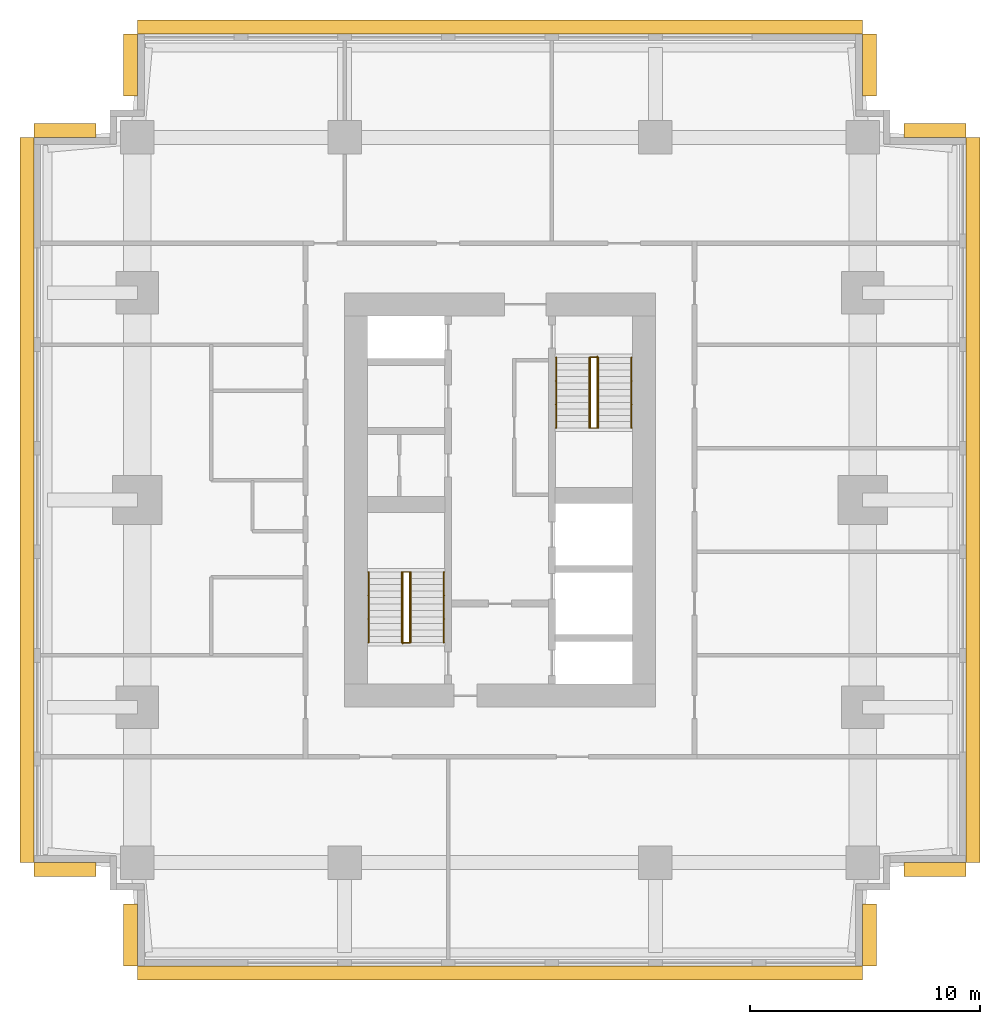
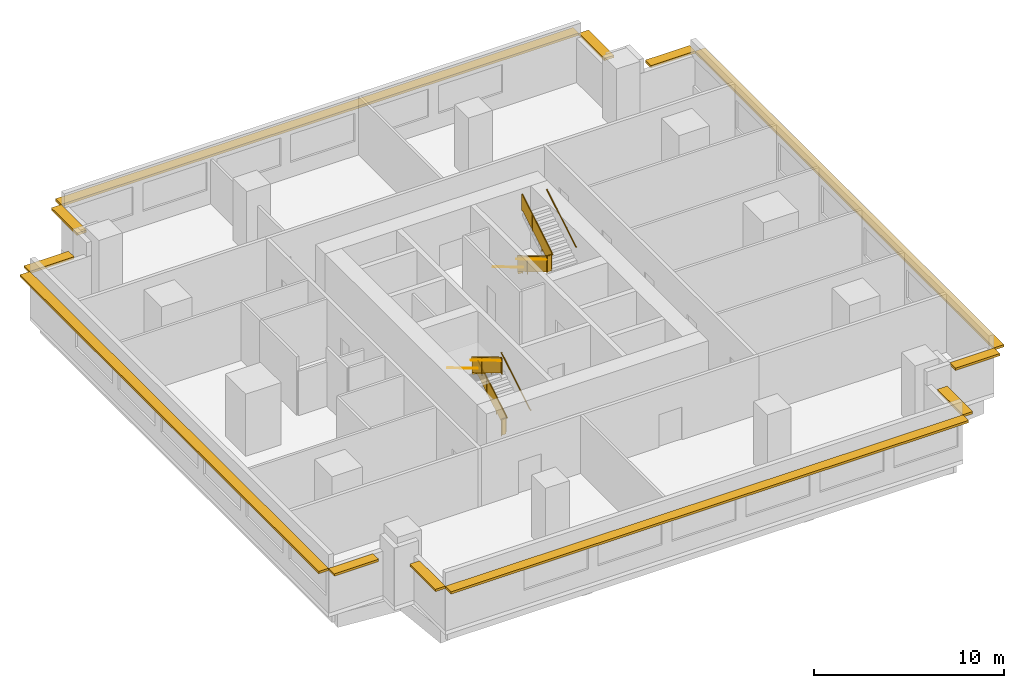
# One storey, part 5 of 5: 12 shading devices, 10 railings.
"""IFC4 building model written with IfcOpenShell, lengths in metres."""

from ifc_helpers import new_model, si_unit, direction, frame, origin, origin_2d, place, context, subcontext, project, spatial, polyline, rectangle, circle, outline, extrude, material, layer, layer_set, type_object, element, save


model = new_model("IFC4")

# Units and contexts
model_context = context("Model", 3, precision=1e-05, world=origin(), true_north=direction((0.0, 1.0)))
body_context = subcontext(model_context, "Body", "Model", "MODEL_VIEW")
ifc_project = project(units=[si_unit("LENGTHUNIT", "METRE"), si_unit("AREAUNIT", "SQUARE_METRE"), si_unit("VOLUMEUNIT", "CUBIC_METRE"), si_unit("PLANEANGLEUNIT", "RADIAN"), si_unit("MASSUNIT", "GRAM", prefix="KILO")], contexts=[model_context])

# Site, building, storey
site_placement = place(None, origin())
site = spatial("IfcSite", under=ifc_project, at=site_placement, CompositionType="ELEMENT")
building_placement = place(site_placement, origin())
building = spatial("IfcBuilding", under=site, at=building_placement, Name="Namib Vertical Campus", CompositionType="ELEMENT")
storey_placement = place(building_placement, frame((0.0, 0.0, 253.0)))
storey = spatial("IfcBuildingStorey", under=building, at=storey_placement, Name="L59", CompositionType="ELEMENT", Elevation=253.0)

# Railings
ifc_material_1 = material(Name="Steel handrail", Category="steel")
railing_type_1 = type_object("IfcRailingType", Name="Handrail 900", PredefinedType="HANDRAIL", material=ifc_material_1)
railing_1_placement = place(storey_placement, frame((17.800048828125, 14.050048828125, 0.166748046875)))
element("IfcRailing", 1, at=railing_1_placement, inside=storey, type_object=railing_type_1, Name="Handrail HR1 A-S1 L59 1", PredefinedType="HANDRAIL", context=body_context, shape_type="SweptSolid", body=[
    extrude(circle(Radius=0.02392578125, at=origin_2d()), frame((0.0, 0.0, 0.8759765625), z_axis=(0.0, 0.859290745958, 0.51148745235), x_axis=(-1.0, 0.0, 0.0)), (0.0, 0.0, 1.0), 3.584228515625),
    extrude(circle(Radius=0.008056640625, at=origin_2d()), frame((0.0, 0.0, 0.8759765625), z_axis=(1.0, 0.0, 0.0), x_axis=(0.0, 0.0, 1.0)), (0.0, 0.0, 1.0), 0.050048828125),
    extrude(circle(Radius=0.008056640625, at=origin_2d()), frame((0.0, 1.026611328125, 1.48681640625), z_axis=(1.0, 0.0, 0.0), x_axis=(0.0, 0.0, 1.0)), (0.0, 0.0, 1.0), 0.050048828125),
    extrude(circle(Radius=0.008056640625, at=origin_2d()), frame((0.0, 2.05322265625, 2.09814453125), z_axis=(1.0, 0.0, 0.0), x_axis=(0.0, 0.0, 1.0)), (0.0, 0.0, 1.0), 0.050048828125),
    extrude(circle(Radius=0.008056640625, at=origin_2d()), frame((0.0, 3.079833984375, 2.708984375), z_axis=(1.0, 0.0, 0.0), x_axis=(0.0, 0.0, 1.0)), (0.0, 0.0, 1.0), 0.050048828125),
])
railing_2_placement = place(storey_placement, frame((14.550048828125, 17.1298828125, 2.166748046875)))
element("IfcRailing", 2, at=railing_2_placement, inside=storey, type_object=railing_type_1, Name="Handrail HR1 A-S1 L59 2", PredefinedType="HANDRAIL", context=body_context, shape_type="SweptSolid", body=[
    extrude(circle(Radius=0.02392578125, at=origin_2d()), frame((0.0, 0.0, 0.8759765625), z_axis=(0.0, -0.859290745958, 0.51148745235), x_axis=(1.0, 0.0, 0.0)), (0.0, 0.0, 1.0), 3.584228515625),
    extrude(circle(Radius=0.008056640625, at=origin_2d()), frame((0.0, 0.0, 0.8759765625), z_axis=(-1.0, 0.0, 0.0), x_axis=(0.0, 0.0, 1.0)), (0.0, 0.0, 1.0), 0.050048828125),
    extrude(circle(Radius=0.008056640625, at=origin_2d()), frame((0.0, -1.026611328125, 1.48681640625), z_axis=(-1.0, 0.0, 0.0), x_axis=(0.0, 0.0, 1.0)), (0.0, 0.0, 1.0), 0.050048828125),
    extrude(circle(Radius=0.008056640625, at=origin_2d()), frame((0.0, -2.05322265625, 2.09814453125), z_axis=(-1.0, 0.0, 0.0), x_axis=(0.0, 0.0, 1.0)), (0.0, 0.0, 1.0), 0.050048828125),
    extrude(circle(Radius=0.008056640625, at=origin_2d()), frame((0.0, -3.079833984375, 2.708984375), z_axis=(-1.0, 0.0, 0.0), x_axis=(0.0, 0.0, 1.0)), (0.0, 0.0, 1.0), 0.050048828125),
])
railing_3_placement = place(storey_placement, frame((16.375, 14.050048828125, 0.166748046875)))
element("IfcRailing", 3, at=railing_3_placement, inside=storey, type_object=railing_type_1, Name="Handrail HR1 A-S1 L59 1 at the well", PredefinedType="HANDRAIL", context=body_context, shape_type="SweptSolid", body=[
    extrude(circle(Radius=0.02392578125, at=origin_2d()), frame((0.0, 0.0, 0.8759765625), z_axis=(0.0, 0.859290745958, 0.51148745235), x_axis=(-1.0, 0.0, 0.0)), (0.0, 0.0, 1.0), 3.584228515625),
    extrude(circle(Radius=0.008056640625, at=origin_2d()), frame((0.0, 0.0, 0.8759765625), z_axis=(-1.0, 0.0, 0.0), x_axis=(0.0, 0.0, 1.0)), (0.0, 0.0, 1.0), 0.0400390625),
    extrude(circle(Radius=0.008056640625, at=origin_2d()), frame((0.0, 1.026611328125, 1.48681640625), z_axis=(-1.0, 0.0, 0.0), x_axis=(0.0, 0.0, 1.0)), (0.0, 0.0, 1.0), 0.0400390625),
    extrude(circle(Radius=0.008056640625, at=origin_2d()), frame((0.0, 2.05322265625, 2.09814453125), z_axis=(-1.0, 0.0, 0.0), x_axis=(0.0, 0.0, 1.0)), (0.0, 0.0, 1.0), 0.0400390625),
    extrude(circle(Radius=0.008056640625, at=origin_2d()), frame((0.0, 3.079833984375, 2.708984375), z_axis=(-1.0, 0.0, 0.0), x_axis=(0.0, 0.0, 1.0)), (0.0, 0.0, 1.0), 0.0400390625),
])
railing_4_placement = place(storey_placement, frame((15.97509765625, 17.1298828125, 2.166748046875)))
element("IfcRailing", 4, at=railing_4_placement, inside=storey, type_object=railing_type_1, Name="Handrail HR1 A-S1 L59 2 at the well", PredefinedType="HANDRAIL", context=body_context, shape_type="SweptSolid", body=[
    extrude(circle(Radius=0.02392578125, at=origin_2d()), frame((0.0, 0.0, 0.8759765625), z_axis=(0.0, -0.859290745958, 0.51148745235), x_axis=(1.0, 0.0, 0.0)), (0.0, 0.0, 1.0), 3.584228515625),
    extrude(circle(Radius=0.008056640625, at=origin_2d()), frame((0.0, 0.0, 0.8759765625), z_axis=(1.0, 0.0, 0.0), x_axis=(0.0, 0.0, 1.0)), (0.0, 0.0, 1.0), 0.0400390625),
    extrude(circle(Radius=0.008056640625, at=origin_2d()), frame((0.0, -1.026611328125, 1.48681640625), z_axis=(1.0, 0.0, 0.0), x_axis=(0.0, 0.0, 1.0)), (0.0, 0.0, 1.0), 0.0400390625),
    extrude(circle(Radius=0.008056640625, at=origin_2d()), frame((0.0, -2.05322265625, 2.09814453125), z_axis=(1.0, 0.0, 0.0), x_axis=(0.0, 0.0, 1.0)), (0.0, 0.0, 1.0), 0.0400390625),
    extrude(circle(Radius=0.008056640625, at=origin_2d()), frame((0.0, -3.079833984375, 2.708984375), z_axis=(1.0, 0.0, 0.0), x_axis=(0.0, 0.0, 1.0)), (0.0, 0.0, 1.0), 0.0400390625),
])
railing_5_placement = place(storey_placement, frame((22.699951171875, 26.449951171875, 0.166748046875)))
element("IfcRailing", 5, at=railing_5_placement, inside=storey, type_object=railing_type_1, Name="Handrail HR1 A-S2 L59 1", PredefinedType="HANDRAIL", context=body_context, shape_type="SweptSolid", body=[
    extrude(circle(Radius=0.02392578125, at=origin_2d()), frame((0.0, 0.0, 0.8759765625), z_axis=(0.0, -0.859290745958, 0.51148745235), x_axis=(1.0, 0.0, 0.0)), (0.0, 0.0, 1.0), 3.584228515625),
    extrude(circle(Radius=0.008056640625, at=origin_2d()), frame((0.0, 0.0, 0.8759765625), z_axis=(-1.0, 0.0, 0.0), x_axis=(0.0, 0.0, 1.0)), (0.0, 0.0, 1.0), 0.050048828125),
    extrude(circle(Radius=0.008056640625, at=origin_2d()), frame((0.0, -1.026611328125, 1.48681640625), z_axis=(-1.0, 0.0, 0.0), x_axis=(0.0, 0.0, 1.0)), (0.0, 0.0, 1.0), 0.050048828125),
    extrude(circle(Radius=0.008056640625, at=origin_2d()), frame((0.0, -2.05322265625, 2.09814453125), z_axis=(-1.0, 0.0, 0.0), x_axis=(0.0, 0.0, 1.0)), (0.0, 0.0, 1.0), 0.050048828125),
    extrude(circle(Radius=0.008056640625, at=origin_2d()), frame((0.0, -3.079833984375, 2.708984375), z_axis=(-1.0, 0.0, 0.0), x_axis=(0.0, 0.0, 1.0)), (0.0, 0.0, 1.0), 0.050048828125),
])
railing_6_placement = place(storey_placement, frame((25.949951171875, 23.3701171875, 2.166748046875)))
element("IfcRailing", 6, at=railing_6_placement, inside=storey, type_object=railing_type_1, Name="Handrail HR1 A-S2 L59 2", PredefinedType="HANDRAIL", context=body_context, shape_type="SweptSolid", body=[
    extrude(circle(Radius=0.02392578125, at=origin_2d()), frame((0.0, 0.0, 0.8759765625), z_axis=(0.0, 0.859290745958, 0.51148745235), x_axis=(-1.0, 0.0, 0.0)), (0.0, 0.0, 1.0), 3.584228515625),
    extrude(circle(Radius=0.008056640625, at=origin_2d()), frame((0.0, 0.0, 0.8759765625), z_axis=(1.0, 0.0, 0.0), x_axis=(0.0, 0.0, 1.0)), (0.0, 0.0, 1.0), 0.050048828125),
    extrude(circle(Radius=0.008056640625, at=origin_2d()), frame((0.0, 1.026611328125, 1.48681640625), z_axis=(1.0, 0.0, 0.0), x_axis=(0.0, 0.0, 1.0)), (0.0, 0.0, 1.0), 0.050048828125),
    extrude(circle(Radius=0.008056640625, at=origin_2d()), frame((0.0, 2.05322265625, 2.09814453125), z_axis=(1.0, 0.0, 0.0), x_axis=(0.0, 0.0, 1.0)), (0.0, 0.0, 1.0), 0.050048828125),
    extrude(circle(Radius=0.008056640625, at=origin_2d()), frame((0.0, 3.079833984375, 2.708984375), z_axis=(1.0, 0.0, 0.0), x_axis=(0.0, 0.0, 1.0)), (0.0, 0.0, 1.0), 0.050048828125),
])
railing_7_placement = place(storey_placement, frame((24.125, 26.449951171875, 0.166748046875)))
element("IfcRailing", 7, at=railing_7_placement, inside=storey, type_object=railing_type_1, Name="Handrail HR1 A-S2 L59 1 at the well", PredefinedType="HANDRAIL", context=body_context, shape_type="SweptSolid", body=[
    extrude(circle(Radius=0.02392578125, at=origin_2d()), frame((0.0, 0.0, 0.8759765625), z_axis=(0.0, -0.859290745958, 0.51148745235), x_axis=(1.0, 0.0, 0.0)), (0.0, 0.0, 1.0), 3.584228515625),
    extrude(circle(Radius=0.008056640625, at=origin_2d()), frame((0.0, 0.0, 0.8759765625), z_axis=(1.0, 0.0, 0.0), x_axis=(0.0, 0.0, 1.0)), (0.0, 0.0, 1.0), 0.0400390625),
    extrude(circle(Radius=0.008056640625, at=origin_2d()), frame((0.0, -1.026611328125, 1.48681640625), z_axis=(1.0, 0.0, 0.0), x_axis=(0.0, 0.0, 1.0)), (0.0, 0.0, 1.0), 0.0400390625),
    extrude(circle(Radius=0.008056640625, at=origin_2d()), frame((0.0, -2.05322265625, 2.09814453125), z_axis=(1.0, 0.0, 0.0), x_axis=(0.0, 0.0, 1.0)), (0.0, 0.0, 1.0), 0.0400390625),
    extrude(circle(Radius=0.008056640625, at=origin_2d()), frame((0.0, -3.079833984375, 2.708984375), z_axis=(1.0, 0.0, 0.0), x_axis=(0.0, 0.0, 1.0)), (0.0, 0.0, 1.0), 0.0400390625),
])
railing_8_placement = place(storey_placement, frame((24.52490234375, 23.3701171875, 2.166748046875)))
element("IfcRailing", 8, at=railing_8_placement, inside=storey, type_object=railing_type_1, Name="Handrail HR1 A-S2 L59 2 at the well", PredefinedType="HANDRAIL", context=body_context, shape_type="SweptSolid", body=[
    extrude(circle(Radius=0.02392578125, at=origin_2d()), frame((0.0, 0.0, 0.8759765625), z_axis=(0.0, 0.859290745958, 0.51148745235), x_axis=(-1.0, 0.0, 0.0)), (0.0, 0.0, 1.0), 3.584228515625),
    extrude(circle(Radius=0.008056640625, at=origin_2d()), frame((0.0, 0.0, 0.8759765625), z_axis=(-1.0, 0.0, 0.0), x_axis=(0.0, 0.0, 1.0)), (0.0, 0.0, 1.0), 0.0400390625),
    extrude(circle(Radius=0.008056640625, at=origin_2d()), frame((0.0, 1.026611328125, 1.48681640625), z_axis=(-1.0, 0.0, 0.0), x_axis=(0.0, 0.0, 1.0)), (0.0, 0.0, 1.0), 0.0400390625),
    extrude(circle(Radius=0.008056640625, at=origin_2d()), frame((0.0, 2.05322265625, 2.09814453125), z_axis=(-1.0, 0.0, 0.0), x_axis=(0.0, 0.0, 1.0)), (0.0, 0.0, 1.0), 0.0400390625),
    extrude(circle(Radius=0.008056640625, at=origin_2d()), frame((0.0, 3.079833984375, 2.708984375), z_axis=(-1.0, 0.0, 0.0), x_axis=(0.0, 0.0, 1.0)), (0.0, 0.0, 1.0), 0.0400390625),
])
ifc_material_2 = material(Name="Steel balustrade", Category="steel")
railing_type_2 = type_object("IfcRailingType", Name="Stair guard 1100", PredefinedType="GUARDRAIL", material=ifc_material_2)
railing_9_placement = place(storey_placement, frame((16.02490234375, 14.050048828125, 0.0)))
element("IfcRailing", 9, at=railing_9_placement, inside=storey, type_object=railing_type_2, Name="Stair guard GR1 A-S1 L59", PredefinedType="GUARDRAIL", context=body_context, shape_type="SweptSolid", body=[
    extrude(circle(Radius=0.02392578125, at=origin_2d()), frame((0.0, 0.0, 1.076171875), z_axis=(1.0, 0.0, 0.0), x_axis=(0.0, 1.0, 0.0)), (0.0, 0.0, 1.0), 0.300048828125),
    extrude(outline(polyline([(0.02099609375, 0.050048828125), (0.279052734375, 0.050048828125), (0.279052734375, 1.052001953125), (0.02099609375, 1.052001953125), (0.02099609375, 0.050048828125)])), frame((0.0, 0.010009765625, 0.0), z_axis=(0.0, -1.0, 0.0), x_axis=(1.0, 0.0, 0.0)), (0.0, 0.0, 1.0), 0.02001953125),
    extrude(circle(Radius=0.02392578125, at=origin_2d()), frame((0.300048828125, 0.0, 1.076171875), z_axis=(0.0, 0.0, 1.0), x_axis=(1.0, 0.0, 0.0)), (0.0, 0.0, 1.0), 0.166748046875),
    extrude(circle(Radius=0.02392578125, at=origin_2d()), frame((0.300048828125, 0.0, 1.24267578125), z_axis=(0.0, 0.859290745958, 0.51148745235), x_axis=(-1.0, 0.0, 0.0)), (0.0, 0.0, 1.0), 3.584228515625),
    extrude(outline(polyline([(0.02099609375, 0.0625), (3.058837890625, 1.870849609375), (3.058837890625, 2.872802734375), (0.02099609375, 1.064453125), (0.02099609375, 0.0625)])), frame((0.2900390625, 0.0, 0.166748046875), z_axis=(1.0, 0.0, 0.0), x_axis=(0.0, 1.0, 0.0)), (0.0, 0.0, 1.0), 0.02001953125),
    extrude(circle(Radius=0.02392578125, at=origin_2d()), frame((0.300048828125, 3.079833984375, 3.076171875), z_axis=(-1.0, 0.0, 0.0), x_axis=(0.0, -1.0, 0.0)), (0.0, 0.0, 1.0), 0.300048828125),
    extrude(outline(polyline([(0.02099609375, 0.050048828125), (0.279052734375, 0.050048828125), (0.279052734375, 1.052001953125), (0.02099609375, 1.052001953125), (0.02099609375, 0.050048828125)])), frame((0.300048828125, 3.06982421875, 2.0), z_axis=(0.0, 1.0, 0.0), x_axis=(-1.0, 0.0, 0.0)), (0.0, 0.0, 1.0), 0.02001953125),
    extrude(circle(Radius=0.02392578125, at=origin_2d()), frame((0.0, 3.079833984375, 3.076171875), z_axis=(0.0, 0.0, 1.0), x_axis=(1.0, 0.0, 0.0)), (0.0, 0.0, 1.0), 0.166748046875),
    extrude(circle(Radius=0.02392578125, at=origin_2d()), frame((0.0, 3.079833984375, 3.24267578125), z_axis=(0.0, -0.859290745958, 0.51148745235), x_axis=(1.0, 0.0, 0.0)), (0.0, 0.0, 1.0), 3.584228515625),
    extrude(outline(polyline([(0.02099609375, 0.0625), (3.058837890625, 1.870849609375), (3.058837890625, 2.872802734375), (0.02099609375, 1.064453125), (0.02099609375, 0.0625)])), frame((0.010009765625, 3.079833984375, 2.166748046875), z_axis=(-1.0, 0.0, 0.0), x_axis=(0.0, -1.0, 0.0)), (0.0, 0.0, 1.0), 0.02001953125),
    extrude(circle(Radius=0.02392578125, at=origin_2d()), frame((0.0, 0.0, 5.076171875), z_axis=(0.0, -1.0, 0.0), x_axis=(1.0, 0.0, 0.0)), (0.0, 0.0, 1.0), 0.050048828125),
    extrude(outline(polyline([(0.02099609375, 0.050048828125), (0.029052734375, 0.050048828125), (0.029052734375, 1.052001953125), (0.02099609375, 1.052001953125), (0.02099609375, 0.050048828125)])), frame((0.010009765625, 0.0, 4.0), z_axis=(-1.0, 0.0, 0.0), x_axis=(0.0, -1.0, 0.0)), (0.0, 0.0, 1.0), 0.02001953125),
    extrude(circle(Radius=0.02099609375, at=origin_2d()), origin(), (0.0, 0.0, 1.0), 1.052001953125),
    extrude(circle(Radius=0.02099609375, at=origin_2d()), frame((0.300048828125, 0.0, 0.166748046875)), (0.0, 0.0, 1.0), 1.052001953125),
    extrude(circle(Radius=0.02099609375, at=origin_2d()), frame((0.300048828125, 1.026611328125, 0.666748046875)), (0.0, 0.0, 1.0), 1.1630859375),
    extrude(circle(Radius=0.02099609375, at=origin_2d()), frame((0.300048828125, 2.05322265625, 1.33349609375)), (0.0, 0.0, 1.0), 1.107421875),
    extrude(circle(Radius=0.02099609375, at=origin_2d()), frame((0.300048828125, 3.079833984375, 2.0)), (0.0, 0.0, 1.0), 1.052001953125),
    extrude(circle(Radius=0.02099609375, at=origin_2d()), frame((0.0, 3.079833984375, 2.166748046875)), (0.0, 0.0, 1.0), 1.052001953125),
    extrude(circle(Radius=0.02099609375, at=origin_2d()), frame((0.0, 2.05322265625, 2.666748046875)), (0.0, 0.0, 1.0), 1.1630859375),
    extrude(circle(Radius=0.02099609375, at=origin_2d()), frame((0.0, 1.026611328125, 3.33349609375)), (0.0, 0.0, 1.0), 1.107421875),
    extrude(circle(Radius=0.02099609375, at=origin_2d()), frame((0.0, 0.0, 4.0)), (0.0, 0.0, 1.0), 1.052001953125),
    extrude(circle(Radius=0.02099609375, at=origin_2d()), frame((0.0, -0.050048828125, 4.0)), (0.0, 0.0, 1.0), 1.052001953125),
])
railing_10_placement = place(storey_placement, frame((24.47509765625, 26.449951171875, 0.0)))
element("IfcRailing", 10, at=railing_10_placement, inside=storey, type_object=railing_type_2, Name="Stair guard GR1 A-S2 L59", PredefinedType="GUARDRAIL", context=body_context, shape_type="SweptSolid", body=[
    extrude(circle(Radius=0.02392578125, at=origin_2d()), frame((0.0, 0.0, 1.076171875), z_axis=(-1.0, 0.0, 0.0), x_axis=(0.0, -1.0, 0.0)), (0.0, 0.0, 1.0), 0.300048828125),
    extrude(outline(polyline([(0.02099609375, 0.050048828125), (0.279052734375, 0.050048828125), (0.279052734375, 1.052001953125), (0.02099609375, 1.052001953125), (0.02099609375, 0.050048828125)])), frame((0.0, -0.010009765625, 0.0), z_axis=(0.0, 1.0, 0.0), x_axis=(-1.0, 0.0, 0.0)), (0.0, 0.0, 1.0), 0.02001953125),
    extrude(circle(Radius=0.02392578125, at=origin_2d()), frame((-0.300048828125, 0.0, 1.076171875), z_axis=(0.0, 0.0, 1.0), x_axis=(1.0, 0.0, 0.0)), (0.0, 0.0, 1.0), 0.166748046875),
    extrude(circle(Radius=0.02392578125, at=origin_2d()), frame((-0.300048828125, 0.0, 1.24267578125), z_axis=(0.0, -0.859290745958, 0.51148745235), x_axis=(1.0, 0.0, 0.0)), (0.0, 0.0, 1.0), 3.584228515625),
    extrude(outline(polyline([(0.02099609375, 0.0625), (3.058837890625, 1.870849609375), (3.058837890625, 2.872802734375), (0.02099609375, 1.064453125), (0.02099609375, 0.0625)])), frame((-0.2900390625, 0.0, 0.166748046875), z_axis=(-1.0, 0.0, 0.0), x_axis=(0.0, -1.0, 0.0)), (0.0, 0.0, 1.0), 0.02001953125),
    extrude(circle(Radius=0.02392578125, at=origin_2d()), frame((-0.300048828125, -3.079833984375, 3.076171875), z_axis=(1.0, 0.0, 0.0), x_axis=(0.0, 1.0, 0.0)), (0.0, 0.0, 1.0), 0.300048828125),
    extrude(outline(polyline([(0.02099609375, 0.050048828125), (0.279052734375, 0.050048828125), (0.279052734375, 1.052001953125), (0.02099609375, 1.052001953125), (0.02099609375, 0.050048828125)])), frame((-0.300048828125, -3.06982421875, 2.0), z_axis=(0.0, -1.0, 0.0), x_axis=(1.0, 0.0, 0.0)), (0.0, 0.0, 1.0), 0.02001953125),
    extrude(circle(Radius=0.02392578125, at=origin_2d()), frame((0.0, -3.079833984375, 3.076171875), z_axis=(0.0, 0.0, 1.0), x_axis=(1.0, 0.0, 0.0)), (0.0, 0.0, 1.0), 0.166748046875),
    extrude(circle(Radius=0.02392578125, at=origin_2d()), frame((0.0, -3.079833984375, 3.24267578125), z_axis=(0.0, 0.859290745958, 0.51148745235), x_axis=(-1.0, 0.0, 0.0)), (0.0, 0.0, 1.0), 3.584228515625),
    extrude(outline(polyline([(0.02099609375, 0.0625), (3.058837890625, 1.870849609375), (3.058837890625, 2.872802734375), (0.02099609375, 1.064453125), (0.02099609375, 0.0625)])), frame((-0.010009765625, -3.079833984375, 2.166748046875), z_axis=(1.0, 0.0, 0.0), x_axis=(0.0, 1.0, 0.0)), (0.0, 0.0, 1.0), 0.02001953125),
    extrude(circle(Radius=0.02392578125, at=origin_2d()), frame((0.0, 0.0, 5.076171875), z_axis=(0.0, 1.0, 0.0), x_axis=(-1.0, 0.0, 0.0)), (0.0, 0.0, 1.0), 0.050048828125),
    extrude(outline(polyline([(0.02099609375, 0.050048828125), (0.029052734375, 0.050048828125), (0.029052734375, 1.052001953125), (0.02099609375, 1.052001953125), (0.02099609375, 0.050048828125)])), frame((-0.010009765625, 0.0, 4.0), z_axis=(1.0, 0.0, 0.0), x_axis=(0.0, 1.0, 0.0)), (0.0, 0.0, 1.0), 0.02001953125),
    extrude(circle(Radius=0.02099609375, at=origin_2d()), origin(), (0.0, 0.0, 1.0), 1.052001953125),
    extrude(circle(Radius=0.02099609375, at=origin_2d()), frame((-0.300048828125, 0.0, 0.166748046875)), (0.0, 0.0, 1.0), 1.052001953125),
    extrude(circle(Radius=0.02099609375, at=origin_2d()), frame((-0.300048828125, -1.026611328125, 0.666748046875)), (0.0, 0.0, 1.0), 1.1630859375),
    extrude(circle(Radius=0.02099609375, at=origin_2d()), frame((-0.300048828125, -2.05322265625, 1.33349609375)), (0.0, 0.0, 1.0), 1.107421875),
    extrude(circle(Radius=0.02099609375, at=origin_2d()), frame((-0.300048828125, -3.079833984375, 2.0)), (0.0, 0.0, 1.0), 1.052001953125),
    extrude(circle(Radius=0.02099609375, at=origin_2d()), frame((0.0, -3.079833984375, 2.166748046875)), (0.0, 0.0, 1.0), 1.052001953125),
    extrude(circle(Radius=0.02099609375, at=origin_2d()), frame((0.0, -2.05322265625, 2.666748046875)), (0.0, 0.0, 1.0), 1.1630859375),
    extrude(circle(Radius=0.02099609375, at=origin_2d()), frame((0.0, -1.026611328125, 3.33349609375)), (0.0, 0.0, 1.0), 1.107421875),
    extrude(circle(Radius=0.02099609375, at=origin_2d()), frame((0.0, 0.0, 4.0)), (0.0, 0.0, 1.0), 1.052001953125),
    extrude(circle(Radius=0.02099609375, at=origin_2d()), frame((0.0, 0.050048828125, 4.0)), (0.0, 0.0, 1.0), 1.052001953125),
])

# Shading devices
ifc_material_3 = material(Name="Concrete C40/50 precast", Category="concrete")
ifc_layer = layer(ifc_material_3, 0.14990234375)
ifc_layer_set = layer_set([ifc_layer], Name="Concrete C40/50 precast")
shading_device_type = type_object("IfcShadingDeviceType", Name="Sunshade hood 600", PredefinedType="SHUTTER", material=ifc_layer_set)
shading_device_1_placement = place(storey_placement, frame((20.25, -0.300048828125, 2.75), z_axis=(0.0, 0.0, 1.0), x_axis=(1.0, 0.0, 0.0)))
element("IfcShadingDevice", 11, at=shading_device_1_placement, inside=storey, type_object=shading_device_type, Name="Sunshade SH3 L59 1", PredefinedType="SHUTTER", context=body_context, shape_type="SweptSolid", body=[
    extrude(rectangle(XDim=31.5, YDim=0.60009765625, at=origin_2d()), origin(), (0.0, 0.0, 1.0), 0.14990234375),
])
for number, where, z_axis, x_axis, name in (
    (12, (36.300048828125, 1.35009765625, 2.75), (0.0, 0.0, 1.0), (0.0, 1.0, 0.0), "Sunshade SH3 L59 2"),
    (13, (39.14990234375, 4.199951171875, 2.75), (0.0, 0.0, 1.0), (1.0, 0.0, 0.0), "Sunshade SH3 L59 5"),
):
    element("IfcShadingDevice", number, at=place(storey_placement, frame(where, z_axis=z_axis, x_axis=x_axis)), inside=storey, type_object=shading_device_type, Name=name, PredefinedType="SHUTTER", context=body_context, shape_type="SweptSolid", body=[
        extrude(rectangle(XDim=2.699951171875, YDim=0.60009765625, at=origin_2d()), origin(), (0.0, 0.0, 1.0), 0.14990234375),
    ])
shading_device_2_placement = place(storey_placement, frame((40.800048828125, 20.25, 2.75), z_axis=(0.0, 0.0, 1.0), x_axis=(0.0, 1.0, 0.0)))
element("IfcShadingDevice", 14, at=shading_device_2_placement, inside=storey, type_object=shading_device_type, Name="Sunshade SH3 L59 6", PredefinedType="SHUTTER", context=body_context, shape_type="SweptSolid", body=[
    extrude(rectangle(XDim=31.5, YDim=0.60009765625, at=origin_2d()), origin(), (0.0, 0.0, 1.0), 0.14990234375),
])
for number, where, z_axis, x_axis, name in (
    (15, (39.14990234375, 36.300048828125, 2.75), (0.0, 0.0, 1.0), (-1.0, 0.0, 0.0), "Sunshade SH3 L59 7"),
    (16, (36.300048828125, 39.14990234375, 2.75), (0.0, 0.0, 1.0), (0.0, 1.0, 0.0), "Sunshade SH3 L59 10"),
):
    element("IfcShadingDevice", number, at=place(storey_placement, frame(where, z_axis=z_axis, x_axis=x_axis)), inside=storey, type_object=shading_device_type, Name=name, PredefinedType="SHUTTER", context=body_context, shape_type="SweptSolid", body=[
        extrude(rectangle(XDim=2.699951171875, YDim=0.60009765625, at=origin_2d()), origin(), (0.0, 0.0, 1.0), 0.14990234375),
    ])
shading_device_3_placement = place(storey_placement, frame((20.25, 40.800048828125, 2.75), z_axis=(0.0, 0.0, 1.0), x_axis=(-1.0, 0.0, 0.0)))
element("IfcShadingDevice", 17, at=shading_device_3_placement, inside=storey, type_object=shading_device_type, Name="Sunshade SH3 L59 11", PredefinedType="SHUTTER", context=body_context, shape_type="SweptSolid", body=[
    extrude(rectangle(XDim=31.5, YDim=0.60009765625, at=origin_2d()), origin(), (0.0, 0.0, 1.0), 0.14990234375),
])
for number, where, z_axis, x_axis, name in (
    (18, (4.199951171875, 39.14990234375, 2.75), (0.0, 0.0, 1.0), (0.0, -1.0, 0.0), "Sunshade SH3 L59 12"),
    (19, (1.35009765625, 36.300048828125, 2.75), (0.0, 0.0, 1.0), (-1.0, 0.0, 0.0), "Sunshade SH3 L59 15"),
):
    element("IfcShadingDevice", number, at=place(storey_placement, frame(where, z_axis=z_axis, x_axis=x_axis)), inside=storey, type_object=shading_device_type, Name=name, PredefinedType="SHUTTER", context=body_context, shape_type="SweptSolid", body=[
        extrude(rectangle(XDim=2.699951171875, YDim=0.60009765625, at=origin_2d()), origin(), (0.0, 0.0, 1.0), 0.14990234375),
    ])
shading_device_4_placement = place(storey_placement, frame((-0.300048828125, 20.25, 2.75), z_axis=(0.0, 0.0, 1.0), x_axis=(0.0, -1.0, 0.0)))
element("IfcShadingDevice", 20, at=shading_device_4_placement, inside=storey, type_object=shading_device_type, Name="Sunshade SH3 L59 16", PredefinedType="SHUTTER", context=body_context, shape_type="SweptSolid", body=[
    extrude(rectangle(XDim=31.5, YDim=0.60009765625, at=origin_2d()), origin(), (0.0, 0.0, 1.0), 0.14990234375),
])
for number, where, z_axis, x_axis, name in (
    (21, (1.35009765625, 4.199951171875, 2.75), (0.0, 0.0, 1.0), (1.0, 0.0, 0.0), "Sunshade SH3 L59 17"),
    (22, (4.199951171875, 1.35009765625, 2.75), (0.0, 0.0, 1.0), (0.0, -1.0, 0.0), "Sunshade SH3 L59 20"),
):
    element("IfcShadingDevice", number, at=place(storey_placement, frame(where, z_axis=z_axis, x_axis=x_axis)), inside=storey, type_object=shading_device_type, Name=name, PredefinedType="SHUTTER", context=body_context, shape_type="SweptSolid", body=[
        extrude(rectangle(XDim=2.699951171875, YDim=0.60009765625, at=origin_2d()), origin(), (0.0, 0.0, 1.0), 0.14990234375),
    ])

save(model, "model.ifc")
